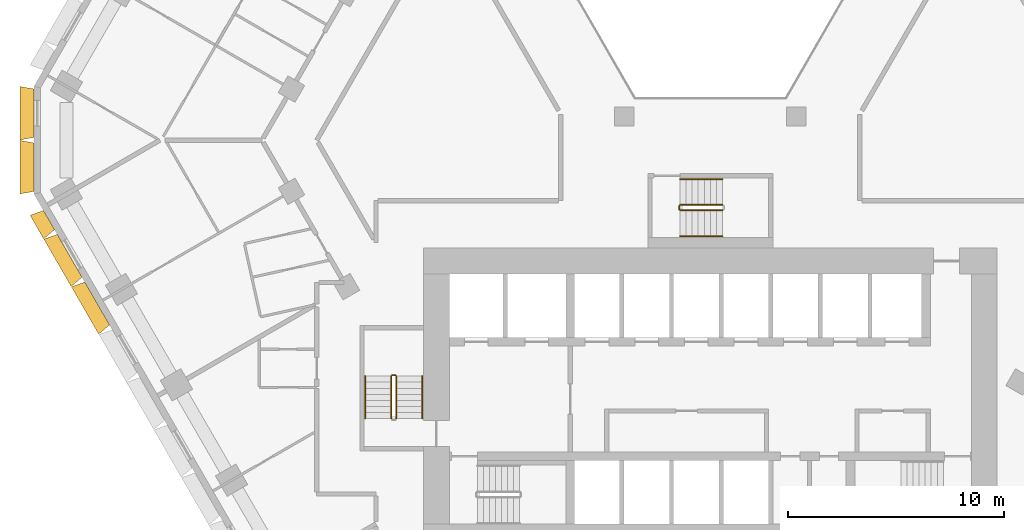
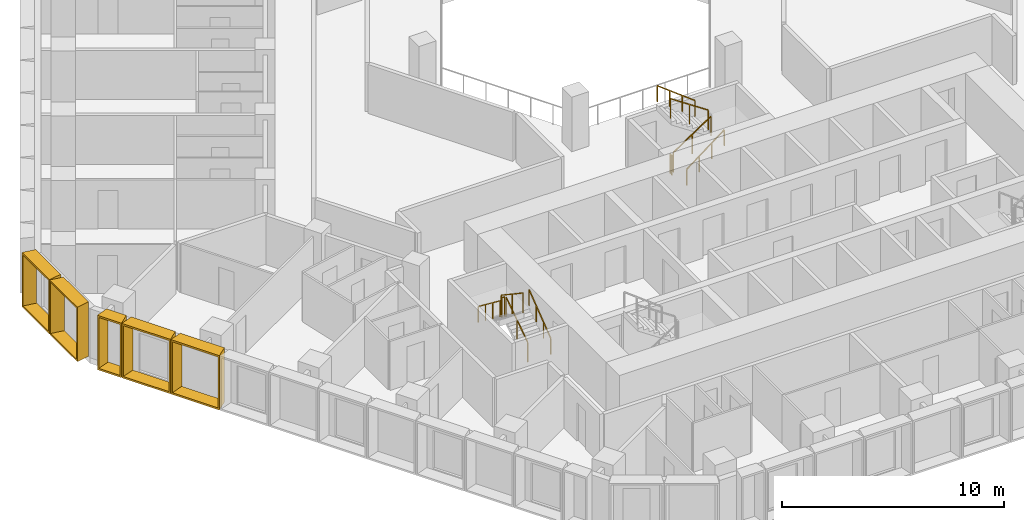
# One storey, part 14 of 16: 10 railings, 5 shading devices.
"""IFC4 building model written with IfcOpenShell, lengths in metres."""

from ifc_helpers import new_model, entity, si_unit, direction, frame, origin, origin_2d, place, context, subcontext, project, spatial, rectangle, extrude, source, transform, mapped, material, type_object, type_shapes, element, save


model = new_model("IFC4")

# Units and contexts
model_context = context("Model", 3, precision=1e-05, world=origin(), true_north=direction((0.0, 1.0)))
body_context = subcontext(model_context, "Body", "Model", "MODEL_VIEW")
ifc_project = project(units=[si_unit("LENGTHUNIT", "METRE"), si_unit("AREAUNIT", "SQUARE_METRE"), si_unit("VOLUMEUNIT", "CUBIC_METRE"), si_unit("PLANEANGLEUNIT", "RADIAN"), si_unit("MASSUNIT", "GRAM", prefix="KILO")], contexts=[model_context])

# Site, building, storey
site_placement = place(None, origin())
site = spatial("IfcSite", under=ifc_project, at=site_placement, CompositionType="ELEMENT")
building_placement = place(site_placement, origin())
building = spatial("IfcBuilding", under=site, at=building_placement, Name="Beryl Residences", CompositionType="ELEMENT")
storey_placement = place(building_placement, frame((0.0, 0.0, 50.39990234375)))
storey = spatial("IfcBuildingStorey", under=building, at=storey_placement, Name="L15", CompositionType="ELEMENT", Elevation=50.39990234375)

# Shading devices
ifc_material_1 = material(Name="Aluminium pale anodised", Category="aluminium")
shading_device_type_1 = type_object("IfcShadingDeviceType", Name="FR128-65A OUTER SKIN frame 650 mm deep, splay 10/10 deg, 1280 x 3000 mm cell", PredefinedType="USERDEFINED", material=ifc_material_1)
cartesian_point_1 = entity("IfcCartesianPoint", [-0.514892578125, 0.0])
cartesian_point_2 = entity("IfcCartesianPoint", [-0.433837890625, 0.10009765625])
cartesian_point_3 = entity("IfcCartesianPoint", [-0.629638671875, 0.0])
cartesian_point_4 = entity("IfcCartesianPoint", [-0.54833984375, 0.10009765625])
shared_shape_1 = source(origin(), body_context, "Body", "SweptSolid", [
    entity("IfcExtrudedAreaSolidTapered", entity("IfcArbitraryProfileDefWithVoids", "AREA", None, entity("IfcPolyline", [cartesian_point_1, entity("IfcCartesianPoint", [0.514892578125, 0.0]), entity("IfcCartesianPoint", [0.514892578125, 3.0]), entity("IfcCartesianPoint", [-0.514892578125, 3.0]), cartesian_point_1]), [entity("IfcPolyline", [cartesian_point_2, entity("IfcCartesianPoint", [0.433837890625, 0.10009765625]), entity("IfcCartesianPoint", [0.433837890625, 2.89990234375]), entity("IfcCartesianPoint", [-0.433837890625, 2.89990234375]), cartesian_point_2])]), entity("IfcAxis2Placement3D", entity("IfcCartesianPoint", [0.0, 0.0, 0.0]), entity("IfcDirection", [0.0, 1.0, 0.0]), entity("IfcDirection", [-1.0, 0.0, 0.0])), entity("IfcDirection", [0.0, 0.0, 1.0]), 0.64990234375, entity("IfcArbitraryProfileDefWithVoids", "AREA", None, entity("IfcPolyline", [cartesian_point_3, entity("IfcCartesianPoint", [0.629638671875, 0.0]), entity("IfcCartesianPoint", [0.629638671875, 3.0]), entity("IfcCartesianPoint", [-0.629638671875, 3.0]), cartesian_point_3]), [entity("IfcPolyline", [cartesian_point_4, entity("IfcCartesianPoint", [0.54833984375, 0.10009765625]), entity("IfcCartesianPoint", [0.54833984375, 2.89990234375]), entity("IfcCartesianPoint", [-0.54833984375, 2.89990234375]), cartesian_point_4])])),
])
type_shapes(shading_device_type_1, [shared_shape_1])
shading_device_placement = place(storey_placement, frame((-30.655029296875, -3.702880859375, 0.0), z_axis=(0.0, 0.0, 1.0), x_axis=(-0.5, 0.866025403784, 0.0)))
element("IfcShadingDevice", 1, at=shading_device_placement, inside=storey, type_object=shading_device_type_1, Name="FR128-65A frame L15 SW 1", ObjectType="OUTER SKIN", PredefinedType="USERDEFINED", context=body_context, shape_type="MappedRepresentation", body=[
    mapped(shared_shape_1, transform((0.0, 0.0, 0.0))),
])
ifc_material_2 = material(Name="Aluminium pale anodised", Category="aluminium")
shading_device_type_2 = type_object("IfcShadingDeviceType", Name="FR250-65A OUTER SKIN frame 650 mm deep, splay 10/10 deg, 2500 x 3000 mm cell", PredefinedType="USERDEFINED", material=ifc_material_2)
cartesian_point_5 = entity("IfcCartesianPoint", [-1.125, 0.0])
cartesian_point_6 = entity("IfcCartesianPoint", [-1.043701171875, 0.10009765625])
cartesian_point_7 = entity("IfcCartesianPoint", [-1.239501953125, 0.0])
cartesian_point_8 = entity("IfcCartesianPoint", [-1.158447265625, 0.10009765625])
shared_shape_2 = source(origin(), body_context, "Body", "SweptSolid", [
    entity("IfcExtrudedAreaSolidTapered", entity("IfcArbitraryProfileDefWithVoids", "AREA", None, entity("IfcPolyline", [cartesian_point_5, entity("IfcCartesianPoint", [1.125, 0.0]), entity("IfcCartesianPoint", [1.125, 3.0]), entity("IfcCartesianPoint", [-1.125, 3.0]), cartesian_point_5]), [entity("IfcPolyline", [cartesian_point_6, entity("IfcCartesianPoint", [1.043701171875, 0.10009765625]), entity("IfcCartesianPoint", [1.043701171875, 2.89990234375]), entity("IfcCartesianPoint", [-1.043701171875, 2.89990234375]), cartesian_point_6])]), entity("IfcAxis2Placement3D", entity("IfcCartesianPoint", [0.0, 0.0, 0.0]), entity("IfcDirection", [0.0, 1.0, 0.0]), entity("IfcDirection", [-1.0, 0.0, 0.0])), entity("IfcDirection", [0.0, 0.0, 1.0]), 0.64990234375, entity("IfcArbitraryProfileDefWithVoids", "AREA", None, entity("IfcPolyline", [cartesian_point_7, entity("IfcCartesianPoint", [1.239501953125, 0.0]), entity("IfcCartesianPoint", [1.239501953125, 3.0]), entity("IfcCartesianPoint", [-1.239501953125, 3.0]), cartesian_point_7]), [entity("IfcPolyline", [cartesian_point_8, entity("IfcCartesianPoint", [1.158447265625, 0.10009765625]), entity("IfcCartesianPoint", [1.158447265625, 2.89990234375]), entity("IfcCartesianPoint", [-1.158447265625, 2.89990234375]), cartesian_point_8])])),
])
type_shapes(shading_device_type_2, [shared_shape_2])
for number, where, z_axis, x_axis, name in (
    (2, (-31.35009765625, 1.25, 0.0), (0.0, 0.0, 1.0), (0.0, 1.0, 0.0), "FR250-65A frame L15 NW-SW 1"),
    (3, (-31.35009765625, -1.25, 0.0), (0.0, 0.0, 1.0), (0.0, 1.0, 0.0), "FR250-65A frame L15 NW-SW 2"),
):
    element("IfcShadingDevice", number, at=place(storey_placement, frame(where, z_axis=z_axis, x_axis=x_axis)), inside=storey, type_object=shading_device_type_2, Name=name, ObjectType="OUTER SKIN", PredefinedType="USERDEFINED", context=body_context, shape_type="MappedRepresentation", body=[
        mapped(shared_shape_2, transform((0.0, 0.0, 0.0))),
    ])
ifc_material_3 = material(Name="Aluminium pale anodised", Category="aluminium")
shading_device_type_3 = type_object("IfcShadingDeviceType", Name="FR255-65A OUTER SKIN frame 650 mm deep, splay 10/10 deg, 2550 x 3000 mm cell", PredefinedType="USERDEFINED", material=ifc_material_3)
cartesian_point_9 = entity("IfcCartesianPoint", [-1.14990234375, 0.0])
cartesian_point_10 = entity("IfcCartesianPoint", [-1.06884765625, 0.10009765625])
cartesian_point_11 = entity("IfcCartesianPoint", [-1.2646484375, 0.0])
cartesian_point_12 = entity("IfcCartesianPoint", [-1.183349609375, 0.10009765625])
shared_shape_3 = source(origin(), body_context, "Body", "SweptSolid", [
    entity("IfcExtrudedAreaSolidTapered", entity("IfcArbitraryProfileDefWithVoids", "AREA", None, entity("IfcPolyline", [cartesian_point_9, entity("IfcCartesianPoint", [1.14990234375, 0.0]), entity("IfcCartesianPoint", [1.14990234375, 3.0]), entity("IfcCartesianPoint", [-1.14990234375, 3.0]), cartesian_point_9]), [entity("IfcPolyline", [cartesian_point_10, entity("IfcCartesianPoint", [1.06884765625, 0.10009765625]), entity("IfcCartesianPoint", [1.06884765625, 2.89990234375]), entity("IfcCartesianPoint", [-1.06884765625, 2.89990234375]), cartesian_point_10])]), entity("IfcAxis2Placement3D", entity("IfcCartesianPoint", [0.0, 0.0, 0.0]), entity("IfcDirection", [0.0, 1.0, 0.0]), entity("IfcDirection", [-1.0, 0.0, 0.0])), entity("IfcDirection", [0.0, 0.0, 1.0]), 0.64990234375, entity("IfcArbitraryProfileDefWithVoids", "AREA", None, entity("IfcPolyline", [cartesian_point_11, entity("IfcCartesianPoint", [1.2646484375, 0.0]), entity("IfcCartesianPoint", [1.2646484375, 3.0]), entity("IfcCartesianPoint", [-1.2646484375, 3.0]), cartesian_point_11]), [entity("IfcPolyline", [cartesian_point_12, entity("IfcCartesianPoint", [1.183349609375, 0.10009765625]), entity("IfcCartesianPoint", [1.183349609375, 2.89990234375]), entity("IfcCartesianPoint", [-1.183349609375, 2.89990234375]), cartesian_point_12])])),
])
type_shapes(shading_device_type_3, [shared_shape_3])
for number, where, z_axis, x_axis, name in (
    (4, (-29.697998046875, -5.360107421875, 0.0), (0.0, 0.0, 1.0), (-0.5, 0.866025403784, 0.0), "FR255-65A frame L15 SW 2"),
    (5, (-28.422119140625, -7.570068359375, 0.0), (0.0, 0.0, 1.0), (-0.5, 0.866025403784, 0.0), "FR255-65A frame L15 SW 3"),
):
    element("IfcShadingDevice", number, at=place(storey_placement, frame(where, z_axis=z_axis, x_axis=x_axis)), inside=storey, type_object=shading_device_type_3, Name=name, ObjectType="OUTER SKIN", PredefinedType="USERDEFINED", context=body_context, shape_type="MappedRepresentation", body=[
        mapped(shared_shape_3, transform((0.0, 0.0, 0.0))),
    ])

# Railings
ifc_material_4 = material(Name="Stainless steel balustrade with glass infill", Category="steel")
railing_type_1 = type_object("IfcRailingType", Name="SG1 stair guard 1100 mm", PredefinedType="GUARDRAIL", material=ifc_material_4)
railing_1_placement = place(storey_placement, frame((-14.550048828125, -12.89990234375, 0.1875)))
element("IfcRailing", 6, at=railing_1_placement, inside=storey, type_object=railing_type_1, Name="L15 ST-2 stair guard 1", PredefinedType="GUARDRAIL", context=body_context, shape_type="SweptSolid", body=[
    extrude(rectangle(XDim=0.048095703125, YDim=0.048095703125, at=origin_2d()), frame((0.0, 0.0, 1.076171875), z_axis=(0.0, 0.830902050051, 0.556418712142), x_axis=(-1.0, 0.0, 0.0)), (0.0, 0.0, 1.0), 2.35888671875),
    extrude(rectangle(XDim=0.0419921875, YDim=0.0419921875, at=origin_2d()), origin(), (0.0, 0.0, 1.0), 1.052001953125),
    extrude(rectangle(XDim=0.0419921875, YDim=0.0419921875, at=origin_2d()), frame((0.0, 0.97998046875, 0.65625)), (0.0, 0.0, 1.0), 1.052001953125),
    extrude(rectangle(XDim=0.0419921875, YDim=0.0419921875, at=origin_2d()), frame((0.0, 1.9599609375, 1.3125)), (0.0, 0.0, 1.0), 1.052001953125),
])
railing_2_placement = place(storey_placement, frame((-14.60009765625, -10.889892578125, 1.5)))
element("IfcRailing", 7, at=railing_2_placement, inside=storey, type_object=railing_type_1, Name="L15 ST-2 stair guard 2", PredefinedType="GUARDRAIL", context=body_context, shape_type="SweptSolid", body=[
    extrude(rectangle(XDim=0.048095703125, YDim=0.048095703125, at=origin_2d()), frame((0.0, 0.0, 1.076171875), z_axis=(-1.0, 0.0, 0.0), x_axis=(0.0, -1.0, 0.0)), (0.0, 0.0, 1.0), 0.14990234375),
    extrude(rectangle(XDim=0.0419921875, YDim=0.0419921875, at=origin_2d()), origin(), (0.0, 0.0, 1.0), 1.052001953125),
    extrude(rectangle(XDim=0.0419921875, YDim=0.0419921875, at=origin_2d()), frame((-0.14990234375, 0.0, 0.0)), (0.0, 0.0, 1.0), 1.052001953125),
])
railing_3_placement = place(storey_placement, frame((-14.800048828125, -10.93994140625, 1.6875)))
element("IfcRailing", 8, at=railing_3_placement, inside=storey, type_object=railing_type_1, Name="L15 ST-2 stair guard 3", PredefinedType="GUARDRAIL", context=body_context, shape_type="SweptSolid", body=[
    extrude(rectangle(XDim=0.048095703125, YDim=0.048095703125, at=origin_2d()), frame((0.0, 0.0, 1.076171875), z_axis=(0.0, -0.830902050051, 0.556418712142), x_axis=(1.0, 0.0, 0.0)), (0.0, 0.0, 1.0), 2.35888671875),
    extrude(rectangle(XDim=0.0419921875, YDim=0.0419921875, at=origin_2d()), origin(), (0.0, 0.0, 1.0), 1.052001953125),
    extrude(rectangle(XDim=0.0419921875, YDim=0.0419921875, at=origin_2d()), frame((0.0, -0.97998046875, 0.65625)), (0.0, 0.0, 1.0), 1.052001953125),
    extrude(rectangle(XDim=0.0419921875, YDim=0.0419921875, at=origin_2d()), frame((0.0, -1.9599609375, 1.3125)), (0.0, 0.0, 1.0), 1.052001953125),
])
railing_4_placement = place(storey_placement, frame((-1.39990234375, -3.25, 0.1875)))
element("IfcRailing", 9, at=railing_4_placement, inside=storey, type_object=railing_type_1, Name="L15 ST-4 stair guard 1", PredefinedType="GUARDRAIL", context=body_context, shape_type="SweptSolid", body=[
    extrude(rectangle(XDim=0.048095703125, YDim=0.048095703125, at=origin_2d()), frame((0.0, 0.0, 1.076171875), z_axis=(0.830902050051, 0.0, 0.556418712142), x_axis=(0.0, 1.0, 0.0)), (0.0, 0.0, 1.0), 2.35888671875),
    extrude(rectangle(XDim=0.0419921875, YDim=0.0419921875, at=origin_2d()), origin(), (0.0, 0.0, 1.0), 1.052001953125),
    extrude(rectangle(XDim=0.0419921875, YDim=0.0419921875, at=origin_2d()), frame((0.97998046875, 0.0, 0.65625)), (0.0, 0.0, 1.0), 1.052001953125),
    extrude(rectangle(XDim=0.0419921875, YDim=0.0419921875, at=origin_2d()), frame((1.9599609375, 0.0, 1.3125)), (0.0, 0.0, 1.0), 1.052001953125),
])
railing_5_placement = place(storey_placement, frame((0.56005859375, -3.0, 1.6875)))
element("IfcRailing", 10, at=railing_5_placement, inside=storey, type_object=railing_type_1, Name="L15 ST-4 stair guard 3", PredefinedType="GUARDRAIL", context=body_context, shape_type="SweptSolid", body=[
    extrude(rectangle(XDim=0.048095703125, YDim=0.048095703125, at=origin_2d()), frame((0.0, 0.0, 1.076171875), z_axis=(-0.830902050051, 0.0, 0.556418712142), x_axis=(0.0, -1.0, 0.0)), (0.0, 0.0, 1.0), 2.35888671875),
    extrude(rectangle(XDim=0.0419921875, YDim=0.0419921875, at=origin_2d()), origin(), (0.0, 0.0, 1.0), 1.052001953125),
    extrude(rectangle(XDim=0.0419921875, YDim=0.0419921875, at=origin_2d()), frame((-0.97998046875, 0.0, 0.65625)), (0.0, 0.0, 1.0), 1.052001953125),
    extrude(rectangle(XDim=0.0419921875, YDim=0.0419921875, at=origin_2d()), frame((-1.9599609375, 0.0, 1.3125)), (0.0, 0.0, 1.0), 1.052001953125),
])
railing_6_placement = place(storey_placement, frame((-1.449951171875, -3.199951171875, 0.0)))
element("IfcRailing", 11, at=railing_6_placement, inside=storey, type_object=railing_type_1, Name="L15 ST-4 stair guard 4", PredefinedType="GUARDRAIL", context=body_context, shape_type="SweptSolid", body=[
    extrude(rectangle(XDim=0.048095703125, YDim=0.048095703125, at=origin_2d()), frame((0.0, 0.0, 1.076171875), z_axis=(0.0, 1.0, 0.0), x_axis=(-1.0, 0.0, 0.0)), (0.0, 0.0, 1.0), 0.14990234375),
    extrude(rectangle(XDim=0.0419921875, YDim=0.0419921875, at=origin_2d()), origin(), (0.0, 0.0, 1.0), 1.052001953125),
    extrude(rectangle(XDim=0.0419921875, YDim=0.0419921875, at=origin_2d()), frame((0.0, 0.14990234375, 0.0)), (0.0, 0.0, 1.0), 1.052001953125),
])
ifc_material_5 = material(Name="Stainless steel handrail", Category="steel")
railing_type_2 = type_object("IfcRailingType", Name="SRL1 stair handrail 900 mm", PredefinedType="HANDRAIL", material=ifc_material_5)
railing_7_placement = place(storey_placement, frame((-13.35009765625, -12.89990234375, 0.1875)))
element("IfcRailing", 12, at=railing_7_placement, inside=storey, type_object=railing_type_2, Name="L15 ST-2 stair handrail 1", PredefinedType="HANDRAIL", context=body_context, shape_type="SweptSolid", body=[
    extrude(rectangle(XDim=0.048095703125, YDim=0.048095703125, at=origin_2d()), frame((0.0, 0.0, 0.8759765625), z_axis=(0.0, 0.794121922505, 0.607758481798), x_axis=(-1.0, 0.0, 0.0)), (0.0, 0.0, 1.0), 2.468017578125),
    extrude(rectangle(XDim=0.0419921875, YDim=0.0419921875, at=origin_2d()), origin(), (0.0, 0.0, 1.0), 0.851806640625),
    extrude(rectangle(XDim=0.0419921875, YDim=0.0419921875, at=origin_2d()), frame((0.0, 0.6533203125, 0.5)), (0.0, 0.0, 1.0), 0.851806640625),
    extrude(rectangle(XDim=0.0419921875, YDim=0.0419921875, at=origin_2d()), frame((0.0, 1.306640625, 1.0)), (0.0, 0.0, 1.0), 0.851806640625),
    extrude(rectangle(XDim=0.0419921875, YDim=0.0419921875, at=origin_2d()), frame((0.0, 1.9599609375, 1.5)), (0.0, 0.0, 1.0), 0.851806640625),
])
railing_8_placement = place(storey_placement, frame((-16.0, -10.93994140625, 1.6875)))
element("IfcRailing", 13, at=railing_8_placement, inside=storey, type_object=railing_type_2, Name="L15 ST-2 stair handrail 2", PredefinedType="HANDRAIL", context=body_context, shape_type="SweptSolid", body=[
    extrude(rectangle(XDim=0.048095703125, YDim=0.048095703125, at=origin_2d()), frame((0.0, 0.0, 0.8759765625), z_axis=(0.0, -0.794121922505, 0.607758481798), x_axis=(1.0, 0.0, 0.0)), (0.0, 0.0, 1.0), 2.468017578125),
    extrude(rectangle(XDim=0.0419921875, YDim=0.0419921875, at=origin_2d()), origin(), (0.0, 0.0, 1.0), 0.851806640625),
    extrude(rectangle(XDim=0.0419921875, YDim=0.0419921875, at=origin_2d()), frame((0.0, -0.6533203125, 0.5)), (0.0, 0.0, 1.0), 0.851806640625),
    extrude(rectangle(XDim=0.0419921875, YDim=0.0419921875, at=origin_2d()), frame((0.0, -1.306640625, 1.0)), (0.0, 0.0, 1.0), 0.851806640625),
    extrude(rectangle(XDim=0.0419921875, YDim=0.0419921875, at=origin_2d()), frame((0.0, -1.9599609375, 1.5)), (0.0, 0.0, 1.0), 0.851806640625),
])
railing_9_placement = place(storey_placement, frame((-1.39990234375, -4.449951171875, 0.1875)))
element("IfcRailing", 14, at=railing_9_placement, inside=storey, type_object=railing_type_2, Name="L15 ST-4 stair handrail 1", PredefinedType="HANDRAIL", context=body_context, shape_type="SweptSolid", body=[
    extrude(rectangle(XDim=0.048095703125, YDim=0.048095703125, at=origin_2d()), frame((0.0, 0.0, 0.8759765625), z_axis=(0.794121922505, 0.0, 0.607758481798), x_axis=(0.0, 1.0, 0.0)), (0.0, 0.0, 1.0), 2.468017578125),
    extrude(rectangle(XDim=0.0419921875, YDim=0.0419921875, at=origin_2d()), origin(), (0.0, 0.0, 1.0), 0.851806640625),
    extrude(rectangle(XDim=0.0419921875, YDim=0.0419921875, at=origin_2d()), frame((0.6533203125, 0.0, 0.5)), (0.0, 0.0, 1.0), 0.851806640625),
    extrude(rectangle(XDim=0.0419921875, YDim=0.0419921875, at=origin_2d()), frame((1.306640625, 0.0, 1.0)), (0.0, 0.0, 1.0), 0.851806640625),
    extrude(rectangle(XDim=0.0419921875, YDim=0.0419921875, at=origin_2d()), frame((1.9599609375, 0.0, 1.5)), (0.0, 0.0, 1.0), 0.851806640625),
])
railing_10_placement = place(storey_placement, frame((0.56005859375, -1.800048828125, 1.6875)))
element("IfcRailing", 15, at=railing_10_placement, inside=storey, type_object=railing_type_2, Name="L15 ST-4 stair handrail 2", PredefinedType="HANDRAIL", context=body_context, shape_type="SweptSolid", body=[
    extrude(rectangle(XDim=0.048095703125, YDim=0.048095703125, at=origin_2d()), frame((0.0, 0.0, 0.8759765625), z_axis=(-0.794121922505, 0.0, 0.607758481798), x_axis=(0.0, -1.0, 0.0)), (0.0, 0.0, 1.0), 2.468017578125),
    extrude(rectangle(XDim=0.0419921875, YDim=0.0419921875, at=origin_2d()), origin(), (0.0, 0.0, 1.0), 0.851806640625),
    extrude(rectangle(XDim=0.0419921875, YDim=0.0419921875, at=origin_2d()), frame((-0.6533203125, 0.0, 0.5)), (0.0, 0.0, 1.0), 0.851806640625),
    extrude(rectangle(XDim=0.0419921875, YDim=0.0419921875, at=origin_2d()), frame((-1.306640625, 0.0, 1.0)), (0.0, 0.0, 1.0), 0.851806640625),
    extrude(rectangle(XDim=0.0419921875, YDim=0.0419921875, at=origin_2d()), frame((-1.9599609375, 0.0, 1.5)), (0.0, 0.0, 1.0), 0.851806640625),
])

save(model, "model.ifc")
